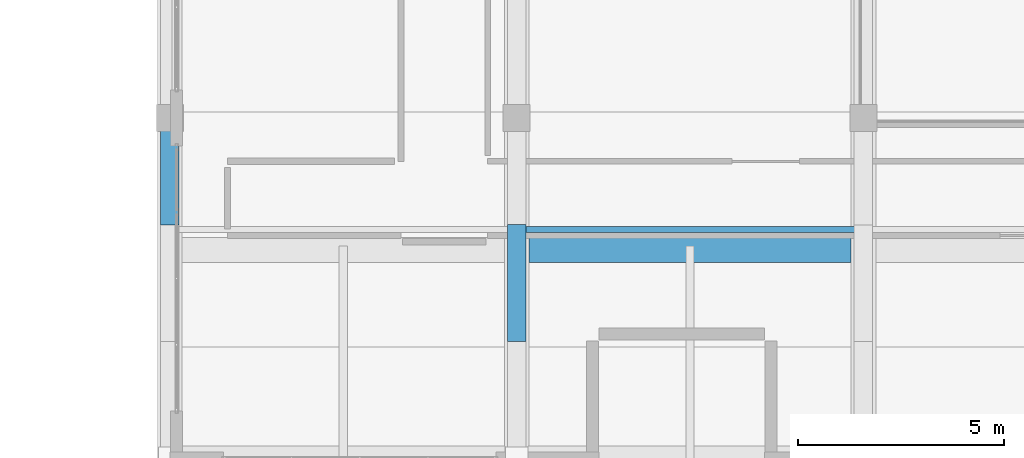
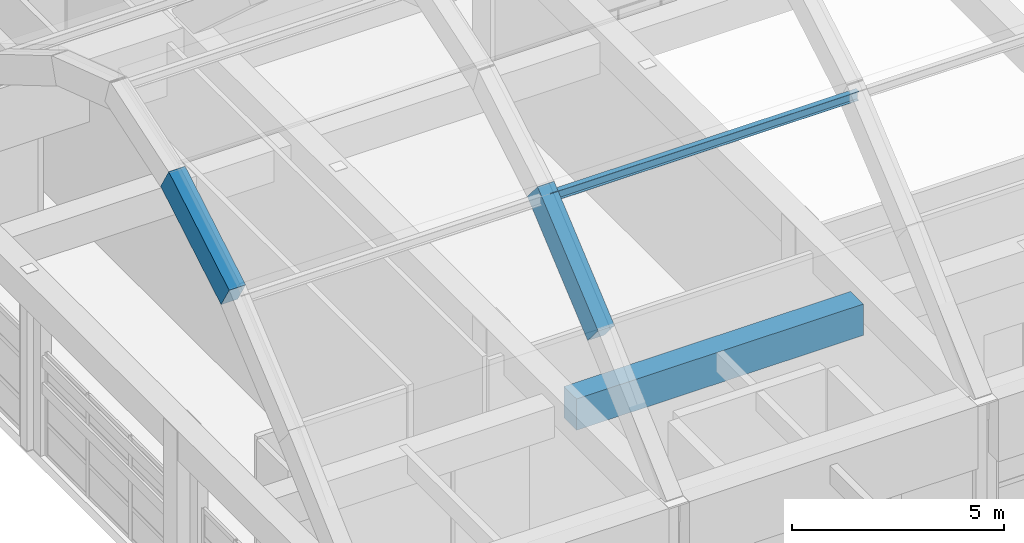
# One storey, part 30 of 103: 3 beams, 1 member.
"""IFC4 building model written with IfcOpenShell, lengths in metres."""

from ifc_helpers import new_model, si_unit, direction, frame, origin, origin_2d, place, context, subcontext, project, spatial, rectangle, i_section, extrude, material, material_profile, profile_set, type_object, element, save


model = new_model("IFC4")

# Units and contexts
model_context = context("Model", 3, precision=1e-05, world=origin(), true_north=direction((0.0, 1.0)))
body_context = subcontext(model_context, "Body", "Model", "MODEL_VIEW")
ifc_project = project(units=[si_unit("LENGTHUNIT", "METRE"), si_unit("AREAUNIT", "SQUARE_METRE"), si_unit("VOLUMEUNIT", "CUBIC_METRE"), si_unit("PLANEANGLEUNIT", "RADIAN"), si_unit("MASSUNIT", "GRAM", prefix="KILO")], contexts=[model_context])

# Site, building, storey
site_placement = place(None, origin())
site = spatial("IfcSite", under=ifc_project, at=site_placement, CompositionType="ELEMENT")
building_placement = place(site_placement, origin())
building = spatial("IfcBuilding", under=site, at=building_placement, Name="Quendrovan Civic Courthouse", CompositionType="ELEMENT")
storey_placement = place(building_placement, frame((0.0, 0.0, 15.300048828125)))
storey = spatial("IfcBuildingStorey", under=building, at=storey_placement, Name="L04", CompositionType="ELEMENT", Elevation=15.300048828125)

# Beams
ifc_material_1 = material(Name="Concrete C40/50", Category="concrete")
ifc_material_profile_1 = material_profile(ifc_material_1, rectangle(XDim=0.60009765625, YDim=0.89990234375, at=origin_2d()), Name="RC-BM-600x900")
ifc_profile_set_1 = profile_set([ifc_material_profile_1], Name="Concrete C40/50")
beam_type_1 = type_object("IfcBeamType", Name="BM-RC900", PredefinedType="BEAM", material=ifc_profile_set_1)
beam_1_placement = place(storey_placement, frame((42.300048828125, 70.0, 4.349853515625), z_axis=(1.0, 0.0, 0.0), x_axis=(0.0, 1.0, 0.0)))
element("IfcBeam", 1, at=beam_1_placement, inside=storey, type_object=beam_type_1, Name="BV2 Eave Backspan Collector Beam S-B2", PredefinedType="BEAM", context=body_context, shape_type="SweptSolid", body=[
    extrude(rectangle(XDim=0.60009765625, YDim=0.89990234375, at=origin_2d()), origin(), (0.0, 0.0, 1.0), 7.800048828125),
])
ifc_material_profile_2 = material_profile(ifc_material_1, rectangle(XDim=0.449951171875, YDim=0.75, at=origin_2d()), Name="RC-VRIB-450x750")
ifc_profile_set_2 = profile_set([ifc_material_profile_2], Name="Concrete C40/50")
beam_type_2 = type_object("IfcBeamType", Name="BM-VRIB750", PredefinedType="BEAM", material=ifc_profile_set_2)
beam_2_placement = place(storey_placement, frame((33.60009765625, 70.7919921875, 10.1806640625), z_axis=(0.0, 0.861355141515, 0.508003267889), x_axis=(-1.0, 0.0, 0.0)))
element("IfcBeam", 2, at=beam_2_placement, inside=storey, type_object=beam_type_2, Name="BV2 Concrete Vault Arch Rib A1-C3", PredefinedType="BEAM", context=body_context, shape_type="SweptSolid", body=[
    extrude(rectangle(XDim=0.449951171875, YDim=0.75, at=origin_2d()), origin(), (0.0, 0.0, 1.0), 3.308837890625),
])
beam_3_placement = place(storey_placement, frame((42.0, 68.022216796875, 7.818603515625), z_axis=(0.0, 0.762391958025, 0.647115524724), x_axis=(-1.0, 0.0, 0.0)))
element("IfcBeam", 3, at=beam_3_placement, inside=storey, type_object=beam_type_2, Name="BV2 Concrete Vault Arch Rib A2-C2", PredefinedType="BEAM", context=body_context, shape_type="SweptSolid", body=[
    extrude(rectangle(XDim=0.449951171875, YDim=0.75, at=origin_2d()), origin(), (0.0, 0.0, 1.0), 3.738037109375),
])

# Member
ifc_material_2 = material(Name="Steel ASTM A992 Grade 50", Category="steel")
ifc_material_profile_3 = material_profile(ifc_material_2, i_section(OverallWidth=0.14599609375, OverallDepth=0.258056640625, WebThickness=0.006103515625, FlangeThickness=0.009033203125, at=origin_2d()), Name="W250x33")
ifc_profile_set_3 = profile_set([ifc_material_profile_3], Name="Steel ASTM A992 Grade 50")
member_type = type_object("IfcMemberType", Name="MEM-PUR-W250", PredefinedType="PURLIN", material=ifc_profile_set_3)
member_placement = place(storey_placement, frame((42.0, 70.5, 10.23583984375), z_axis=(1.0, 0.0, 0.0), x_axis=(0.0, 1.0, 0.0)))
element("IfcMember", 4, at=member_placement, inside=storey, type_object=member_type, Name="BV2 Vault Longitudinal Purlin B2-1", PredefinedType="PURLIN", context=body_context, shape_type="SweptSolid", body=[
    extrude(i_section(OverallWidth=0.14599609375, OverallDepth=0.258056640625, WebThickness=0.006103515625, FlangeThickness=0.009033203125, at=origin_2d()), origin(), (0.0, 0.0, 1.0), 8.39990234375),
])

save(model, "model.ifc")
